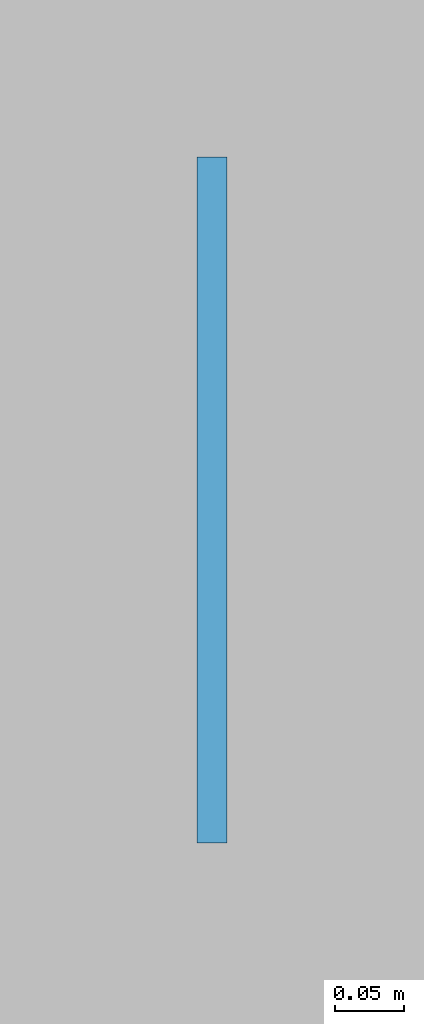
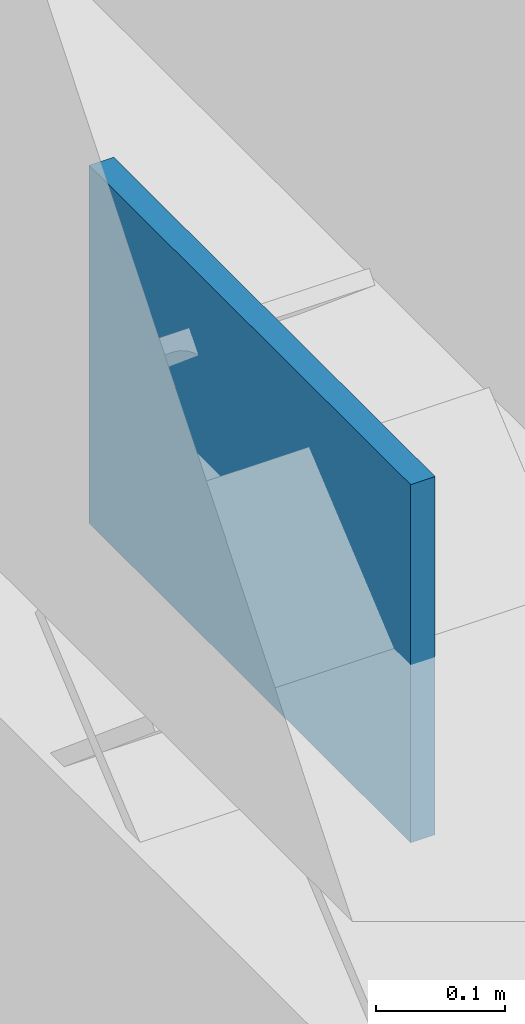
# One storey, part 88 of 124: 1 plate.
"""IFC4 building model written with IfcOpenShell, lengths in metres."""

from ifc_helpers import new_model, si_unit, direction, frame, origin, origin_2d, place, context, subcontext, project, spatial, rectangle, extrude, material, layer, layer_set, type_object, element, save


model = new_model("IFC4")

# Units and contexts
model_context = context("Model", 3, precision=1e-05, world=origin(), true_north=direction((0.0, 1.0)))
body_context = subcontext(model_context, "Body", "Model", "MODEL_VIEW")
ifc_project = project(units=[si_unit("LENGTHUNIT", "METRE"), si_unit("AREAUNIT", "SQUARE_METRE"), si_unit("VOLUMEUNIT", "CUBIC_METRE"), si_unit("PLANEANGLEUNIT", "RADIAN"), si_unit("MASSUNIT", "GRAM", prefix="KILO")], contexts=[model_context])

# Site, building, storey
site_placement = place(None, origin())
site = spatial("IfcSite", under=ifc_project, at=site_placement, CompositionType="ELEMENT")
building_placement = place(site_placement, origin())
building = spatial("IfcBuilding", under=site, at=building_placement, Name="Qasida Concert Hall", CompositionType="ELEMENT")
storey_placement = place(building_placement, frame((0.0, 0.0, 9.0)))
storey = spatial("IfcBuildingStorey", under=building, at=storey_placement, Name="L02", CompositionType="ELEMENT", Elevation=9.0)

# Plate
ifc_material = material(Name="Steel S355J2", Category="steel")
ifc_layer = layer(ifc_material, 0.02197265625, Name="Steel S355J2")
ifc_layer_set = layer_set([ifc_layer], Name="Steel S355J2")
plate_type = type_object("IfcPlateType", Name="PLT-PL-EC5", PredefinedType="SHEET", material=ifc_layer_set)
plate_placement = place(storey_placement, frame((52.5, 71.25, 2.97998046875), z_axis=(0.0, 0.0, 1.0), x_axis=(0.0, 1.0, 0.0)))
element("IfcPlate", 1, at=plate_placement, inside=storey, type_object=plate_type, Name="Chevron apex plate CBF-0073", PredefinedType="SHEET", context=body_context, shape_type="SweptSolid", body=[
    extrude(rectangle(XDim=0.5, YDim=0.02197265625, at=origin_2d()), origin(), (0.0, 0.0, 1.0), 0.340087890625),
])

save(model, "model.ifc")
